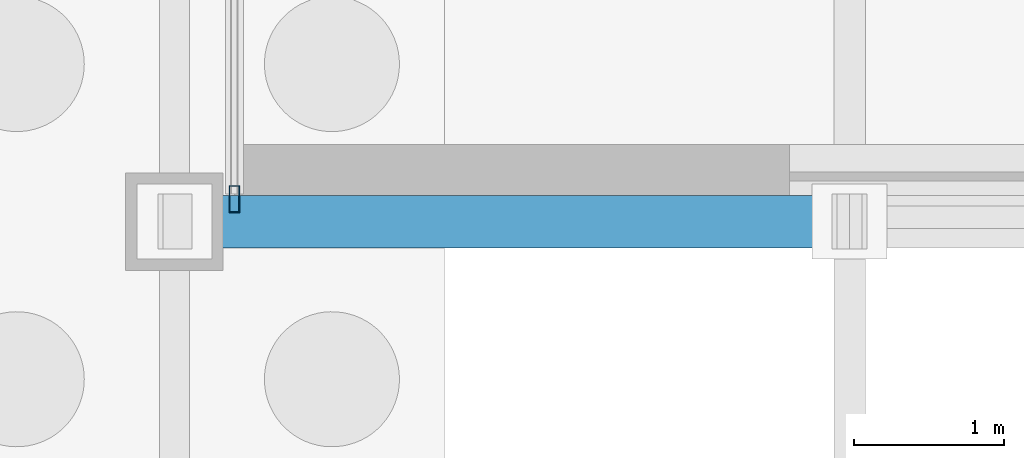
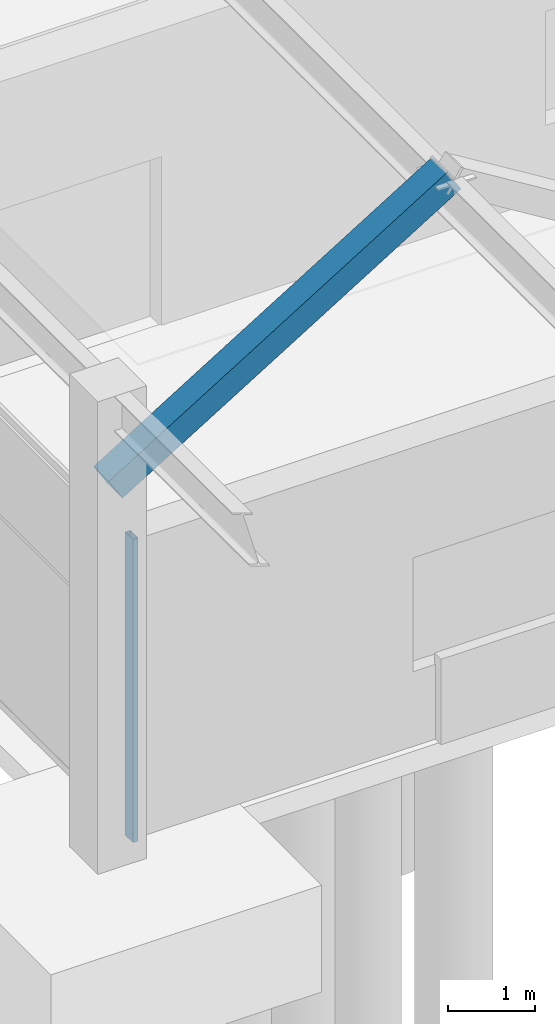
# One storey, part 40 of 160: 2 members, 1 element without a shape of its own.
"""IFC4 building model written with IfcOpenShell, lengths in metres."""

from ifc_helpers import new_model, si_unit, direction, frame, origin, origin_2d, place, context, subcontext, project, spatial, hollow_rectangle, extrude, material, layer, layer_set, material_profile, profile_set, type_object, element, aggregate, save


model = new_model("IFC4")

# Units and contexts
model_context = context("Model", 3, precision=1e-05, world=origin(), true_north=direction((0.0, 1.0)))
body_context = subcontext(model_context, "Body", "Model", "MODEL_VIEW")
ifc_project = project(units=[si_unit("LENGTHUNIT", "METRE"), si_unit("AREAUNIT", "SQUARE_METRE"), si_unit("VOLUMEUNIT", "CUBIC_METRE"), si_unit("PLANEANGLEUNIT", "RADIAN"), si_unit("MASSUNIT", "GRAM", prefix="KILO")], contexts=[model_context])

# Site, building, storey
site_placement = place(None, origin())
site = spatial("IfcSite", under=ifc_project, at=site_placement, CompositionType="ELEMENT")
building_placement = place(site_placement, origin())
building = spatial("IfcBuilding", under=site, at=building_placement, Name="Marlcrest Central Station", CompositionType="ELEMENT")
storey_placement = place(building_placement, origin())
storey = spatial("IfcBuildingStorey", under=building, at=storey_placement, Name="L00", CompositionType="ELEMENT", Elevation=0.0)

# Curtain wall, member
ifc_material_1 = material(Name="Anodised aluminium and hurricane laminated glass", Category="aluminium")
ifc_layer = layer(ifc_material_1, 0.179931640625, Name="CW-S1")
ifc_layer_set = layer_set([ifc_layer], Name="Anodised aluminium and hurricane laminated glass")
curtain_wall_type = type_object("IfcCurtainWallType", Name="CW-S1", PredefinedType="USERDEFINED", material=ifc_layer_set)
curtain_wall_placement = place(storey_placement, origin())
curtain_wall = element("IfcCurtainWall", 1, at=curtain_wall_placement, inside=storey, type_object=curtain_wall_type, Name="cw-L00-0143", ObjectType="STICK_CURTAIN_WALL", PredefinedType="USERDEFINED")
ifc_material_2 = material(Name="Anodised aluminium 6063-T6", Category="aluminium")
ifc_material_profile_1 = material_profile(ifc_material_2, hollow_rectangle(XDim=0.070068359375, YDim=0.179931640625, WallThickness=0.0048828125, at=origin_2d()), Name="AA-RHS 180x70x5")
ifc_profile_set_1 = profile_set([ifc_material_profile_1], Name="Anodised aluminium 6063-T6")
member_type_1 = type_object("IfcMemberType", Name="ML-02", PredefinedType="MULLION", material=ifc_profile_set_1)
member_1_placement = place(storey_placement, frame((0.39990234375, 22.64990234375, -0.030029296875), z_axis=(0.0, 0.0, 1.0), x_axis=(1.0, 0.0, 0.0)))
member_1 = element("IfcMember", 2, at=member_1_placement, type_object=member_type_1, Name="cw-L00-0143-ml-0", PredefinedType="MULLION", context=body_context, shape_type="SweptSolid", body=[
    extrude(hollow_rectangle(XDim=0.070068359375, YDim=0.179931640625, WallThickness=0.0048828125, at=origin_2d()), origin(), (0.0, 0.0, 1.0), 4.260009765625),
])
aggregate(curtain_wall, [member_1])

# Member
ifc_material_3 = material(Name="Steel S355", Category="steel")
ifc_material_profile_2 = material_profile(ifc_material_3, hollow_rectangle(XDim=0.35009765625, YDim=0.35009765625, WallThickness=0.01611328125, at=origin_2d()), Name="SHS 350x350x16")
ifc_profile_set_2 = profile_set([ifc_material_profile_2], Name="Steel S355")
member_type_2 = type_object("IfcMemberType", Name="ST-02", PredefinedType="STRUT", material=ifc_profile_set_2)
member_2_placement = place(storey_placement, frame((0.0, 22.5, 5.199951171875), z_axis=(0.851591684043, 0.0, 0.524205688322), x_axis=(0.0, 1.0, 0.0)))
element("IfcMember", 3, at=member_2_placement, inside=storey, type_object=member_type_2, Name="mem-ST-02-L00-00021", PredefinedType="STRUT", context=body_context, shape_type="SweptSolid", body=[
    extrude(hollow_rectangle(XDim=0.35009765625, YDim=0.35009765625, WallThickness=0.01611328125, at=origin_2d()), origin(), (0.0, 0.0, 1.0), 5.2841796875),
])

save(model, "model.ifc")
